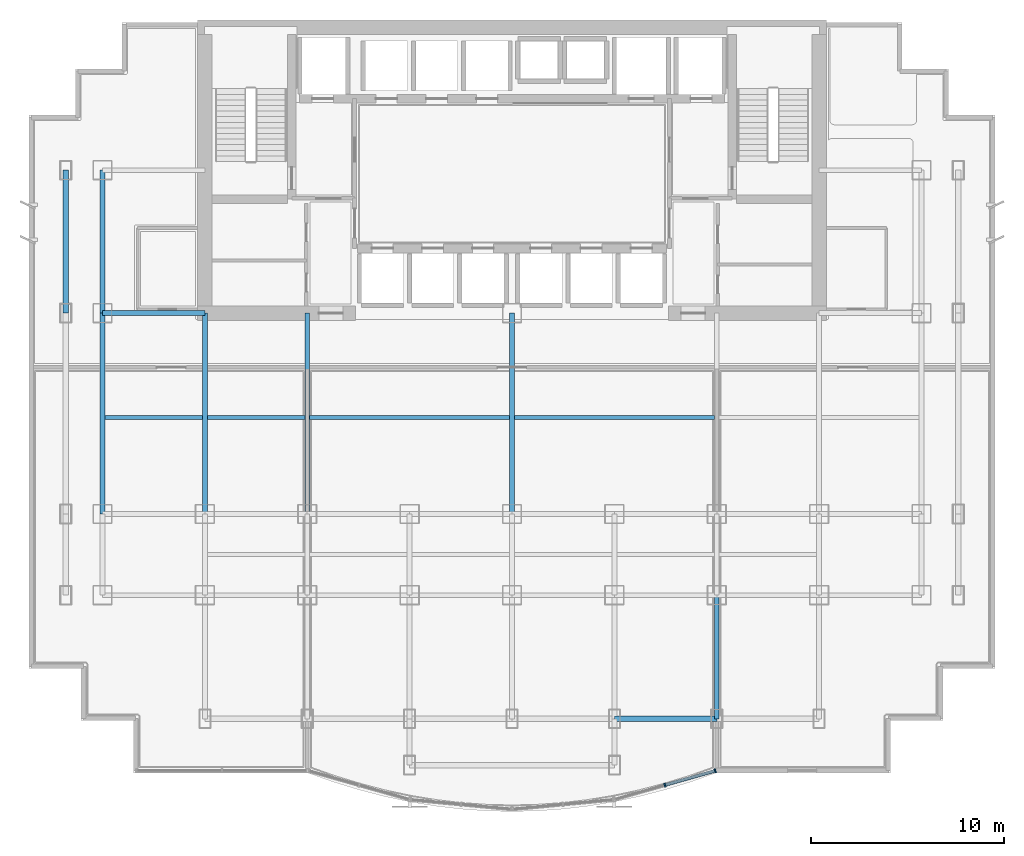
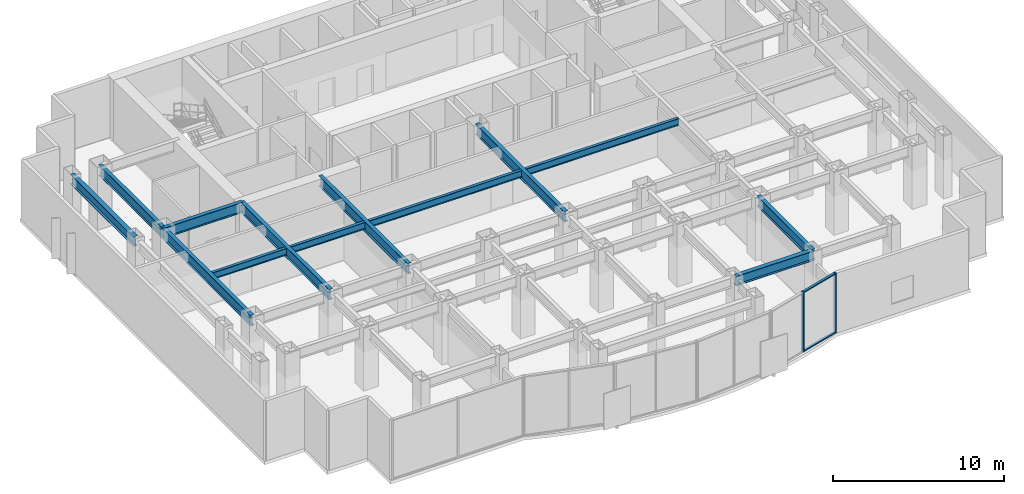
# One storey, part 3 of 9: 13 beams, 4 members, 1 element without a shape of its own.
"""IFC4 building model written with IfcOpenShell, lengths in metres."""

from ifc_helpers import new_model, si_unit, direction, frame, origin, origin_2d, place, context, subcontext, project, spatial, rectangle, i_section, extrude, source, transform, mapped, material, layer, layer_set, material_profile, profile_set, type_object, element, aggregate, save


model = new_model("IFC4")

# Units and contexts
model_context = context("Model", 3, precision=1e-05, world=origin(), true_north=direction((0.0, 1.0)))
body_context = subcontext(model_context, "Body", "Model", "MODEL_VIEW")
ifc_project = project(units=[si_unit("LENGTHUNIT", "METRE"), si_unit("AREAUNIT", "SQUARE_METRE"), si_unit("VOLUMEUNIT", "CUBIC_METRE"), si_unit("PLANEANGLEUNIT", "RADIAN"), si_unit("MASSUNIT", "GRAM", prefix="KILO")], contexts=[model_context])

# Site, building, storey
site_placement = place(None, origin())
site = spatial("IfcSite", under=ifc_project, at=site_placement, CompositionType="ELEMENT")
building_placement = place(site_placement, origin())
building = spatial("IfcBuilding", under=site, at=building_placement, Name="Qianlan Lanfeng Residences", CompositionType="ELEMENT")
storey_placement = place(building_placement, frame((0.0, 0.0, 77.199951171875)))
storey = spatial("IfcBuildingStorey", under=building, at=storey_placement, Name="L20", CompositionType="ELEMENT", Elevation=77.199951171875)

# Beams
ifc_material_1 = material(Name="Steel SN490B", Category="steel")
ifc_material_profile_1 = material_profile(ifc_material_1, i_section(OverallWidth=0.25, OverallDepth=0.75, WebThickness=0.013916015625, FlangeThickness=0.02490234375, at=origin_2d()), Name="H 750x250x14x25")
ifc_profile_set_1 = profile_set([ifc_material_profile_1], Name="Steel SN490B")
beam_type_1 = type_object("IfcBeamType", Name="G-850", PredefinedType="BEAM", material=ifc_profile_set_1)
beam_1_placement = place(storey_placement, frame((5.300048828125, 25.199951171875, 3.9150390625), z_axis=(1.0, 0.0, 0.0), x_axis=(0.0, 1.0, 0.0)))
element("IfcBeam", 1, at=beam_1_placement, inside=storey, type_object=beam_type_1, Name="Structural beam G-850", PredefinedType="BEAM", context=body_context, shape_type="SweptSolid", body=[
    extrude(i_section(OverallWidth=0.25, OverallDepth=0.75, WebThickness=0.013916015625, FlangeThickness=0.02490234375, at=origin_2d()), origin(), (0.0, 0.0, 1.0), 5.300048828125),
])
beam_2_placement = place(storey_placement, frame((5.300048828125, 14.800048828125, 3.9150390625), z_axis=(0.0, 1.0, 0.0), x_axis=(-1.0, 0.0, 0.0)))
element("IfcBeam", 2, at=beam_2_placement, inside=storey, type_object=beam_type_1, Name="Structural beam G-850", PredefinedType="BEAM", context=body_context, shape_type="SweptSolid", body=[
    extrude(i_section(OverallWidth=0.25, OverallDepth=0.75, WebThickness=0.013916015625, FlangeThickness=0.02490234375, at=origin_2d()), origin(), (0.0, 0.0, 1.0), 10.39990234375),
])
beam_3_placement = place(storey_placement, frame((5.300048828125, 25.199951171875, 3.9150390625), z_axis=(0.0, 1.0, 0.0), x_axis=(-1.0, 0.0, 0.0)))
element("IfcBeam", 3, at=beam_3_placement, inside=storey, type_object=beam_type_1, Name="Structural beam G-850", PredefinedType="BEAM", context=body_context, shape_type="SweptSolid", body=[
    extrude(i_section(OverallWidth=0.25, OverallDepth=0.75, WebThickness=0.013916015625, FlangeThickness=0.02490234375, at=origin_2d()), origin(), (0.0, 0.0, 1.0), 7.400146484375),
])
for number, where, z_axis, x_axis, name in (
    (4, (10.60009765625, 14.800048828125, 3.9150390625), (0.0, 1.0, 0.0), (-1.0, 0.0, 0.0), "Structural beam G-850"),
    (5, (15.89990234375, 14.800048828125, 3.9150390625), (0.0, 1.0, 0.0), (-1.0, 0.0, 0.0), "Structural beam G-850"),
    (6, (26.5, 14.800048828125, 3.9150390625), (0.0, 1.0, 0.0), (-1.0, 0.0, 0.0), "Structural beam G-850"),
):
    element("IfcBeam", number, at=place(storey_placement, frame(where, z_axis=z_axis, x_axis=x_axis)), inside=storey, type_object=beam_type_1, Name=name, PredefinedType="BEAM", context=body_context, shape_type="SweptSolid", body=[
        extrude(i_section(OverallWidth=0.25, OverallDepth=0.75, WebThickness=0.013916015625, FlangeThickness=0.02490234375, at=origin_2d()), origin(), (0.0, 0.0, 1.0), 10.39990234375),
    ])
beam_4_placement = place(storey_placement, frame((37.10009765625, 4.199951171875, 3.9150390625), z_axis=(0.0, 1.0, 0.0), x_axis=(-1.0, 0.0, 0.0)))
element("IfcBeam", 7, at=beam_4_placement, inside=storey, type_object=beam_type_1, Name="Structural beam G-850", PredefinedType="BEAM", context=body_context, shape_type="SweptSolid", body=[
    extrude(i_section(OverallWidth=0.25, OverallDepth=0.75, WebThickness=0.013916015625, FlangeThickness=0.02490234375, at=origin_2d()), origin(), (0.0, 0.0, 1.0), 6.400146484375),
])
ifc_material_profile_2 = material_profile(ifc_material_1, i_section(OverallWidth=0.199951171875, OverallDepth=0.5, WebThickness=0.010009765625, FlangeThickness=0.01611328125, at=origin_2d()), Name="H 500x200x10x16")
ifc_profile_set_2 = profile_set([ifc_material_profile_2], Name="Steel SN490B")
beam_type_2 = type_object("IfcBeamType", Name="J-500", PredefinedType="JOIST", material=ifc_profile_set_2)
beam_5_placement = place(storey_placement, frame((5.425048828125, 19.800048828125, 4.0400390625), z_axis=(1.0, 0.0, 0.0), x_axis=(0.0, 1.0, 0.0)))
element("IfcBeam", 8, at=beam_5_placement, inside=storey, type_object=beam_type_2, Name="Structural beam J-500", PredefinedType="JOIST", context=body_context, shape_type="SweptSolid", body=[
    extrude(i_section(OverallWidth=0.199951171875, OverallDepth=0.5, WebThickness=0.010009765625, FlangeThickness=0.01611328125, at=origin_2d()), origin(), (0.0, 0.0, 1.0), 5.050048828125),
])
beam_6_placement = place(storey_placement, frame((10.72509765625, 19.800048828125, 4.0400390625), z_axis=(1.0, 0.0, 0.0), x_axis=(0.0, 1.0, 0.0)))
element("IfcBeam", 9, at=beam_6_placement, inside=storey, type_object=beam_type_2, Name="Structural beam J-500", PredefinedType="JOIST", context=body_context, shape_type="SweptSolid", body=[
    extrude(i_section(OverallWidth=0.199951171875, OverallDepth=0.5, WebThickness=0.010009765625, FlangeThickness=0.01611328125, at=origin_2d()), origin(), (0.0, 0.0, 1.0), 5.0498046875),
])
for number, where, z_axis, x_axis, name in (
    (10, (16.02490234375, 19.800048828125, 4.0400390625), (1.0, 0.0, 0.0), (0.0, 1.0, 0.0), "Structural beam J-500"),
    (11, (26.625, 19.800048828125, 4.0400390625), (1.0, 0.0, 0.0), (0.0, 1.0, 0.0), "Structural beam J-500"),
):
    element("IfcBeam", number, at=place(storey_placement, frame(where, z_axis=z_axis, x_axis=x_axis)), inside=storey, type_object=beam_type_2, Name=name, PredefinedType="JOIST", context=body_context, shape_type="SweptSolid", body=[
        extrude(i_section(OverallWidth=0.199951171875, OverallDepth=0.5, WebThickness=0.010009765625, FlangeThickness=0.01611328125, at=origin_2d()), origin(), (0.0, 0.0, 1.0), 10.35009765625),
    ])
ifc_material_profile_3 = material_profile(ifc_material_1, i_section(OverallWidth=0.300048828125, OverallDepth=0.699951171875, WebThickness=0.012939453125, FlangeThickness=0.02392578125, at=origin_2d()), Name="H 700x300x13x24")
ifc_profile_set_3 = profile_set([ifc_material_profile_3], Name="Steel SN490B")
beam_type_3 = type_object("IfcBeamType", Name="SG-750", PredefinedType="SPANDREL", material=ifc_profile_set_3)
beam_7_placement = place(storey_placement, frame((31.800048828125, 4.199951171875, 3.93994140625), z_axis=(1.0, 0.0, 0.0), x_axis=(0.0, 1.0, 0.0)))
element("IfcBeam", 12, at=beam_7_placement, inside=storey, type_object=beam_type_3, Name="Structural beam SG-750", PredefinedType="SPANDREL", context=body_context, shape_type="SweptSolid", body=[
    extrude(i_section(OverallWidth=0.300048828125, OverallDepth=0.699951171875, WebThickness=0.012939453125, FlangeThickness=0.02392578125, at=origin_2d()), origin(), (0.0, 0.0, 1.0), 5.300048828125),
])
beam_8_placement = place(storey_placement, frame((3.39990234375, 25.199951171875, 3.93994140625), z_axis=(0.0, 1.0, 0.0), x_axis=(-1.0, 0.0, 0.0)))
element("IfcBeam", 13, at=beam_8_placement, inside=storey, type_object=beam_type_3, Name="Structural beam SG-750", PredefinedType="SPANDREL", context=body_context, shape_type="SweptSolid", body=[
    extrude(i_section(OverallWidth=0.300048828125, OverallDepth=0.699951171875, WebThickness=0.012939453125, FlangeThickness=0.02392578125, at=origin_2d()), origin(), (0.0, 0.0, 1.0), 7.400146484375),
])

# Curtain wall, members
ifc_material_2 = material(Name="Anodised Bronze Aluminium 6063-T6", Category="aluminium")
ifc_layer = layer(ifc_material_2, 0.219970703125)
ifc_layer_set = layer_set([ifc_layer], Name="Anodised Bronze Aluminium 6063-T6")
curtain_wall_type = type_object("IfcCurtainWallType", Name="CW-03", PredefinedType="NOTDEFINED", material=ifc_layer_set)
curtain_wall_placement = place(storey_placement, origin())
curtain_wall = element("IfcCurtainWall", 14, at=curtain_wall_placement, inside=storey, type_object=curtain_wall_type, Name="L20 Unitised Curtain Wall CWR-L20-05 (CW-03)", PredefinedType="NOTDEFINED")
ifc_material_profile_4 = material_profile(ifc_material_2, rectangle(XDim=0.080078125, YDim=0.2099609375, at=origin_2d()), Name="ALU MULLION 80x210")
ifc_profile_set_4 = profile_set([ifc_material_profile_4], Name="Anodised Bronze Aluminium 6063-T6")
member_type_1 = type_object("IfcMemberType", Name="CWM-220", PredefinedType="MULLION", material=ifc_profile_set_4)
shared_shape_1 = source(origin(), body_context, "Body", "SweptSolid", [
    extrude(rectangle(XDim=0.080078125, YDim=0.2099609375, at=origin_2d()), origin(), (0.0, 0.0, 1.0), 4.2900390625),
])
member_1_placement = place(storey_placement, frame((34.41357421875, 0.76904296875, 0.0), z_axis=(0.0, 0.0, 1.0), x_axis=(0.961989074302, 0.273087936247, 0.0)))
member_1 = element("IfcMember", 15, at=member_1_placement, type_object=member_type_1, Name="CWR-L20-05 Mullion 2", PredefinedType="MULLION", context=body_context, shape_type="MappedRepresentation", body=[
    mapped(shared_shape_1, transform((0.0, 0.0, 0.0), scale=1.0)),
])
member_2_placement = place(storey_placement, frame((37.0205078125, 1.509033203125, 0.0), z_axis=(0.0, 0.0, 1.0), x_axis=(0.961989074302, 0.273087936247, 0.0)))
member_2 = element("IfcMember", 16, at=member_2_placement, type_object=member_type_1, Name="CWR-L20-05 Mullion 3", PredefinedType="MULLION", context=body_context, shape_type="MappedRepresentation", body=[
    mapped(shared_shape_1, transform((0.0, 0.0, 0.0), scale=1.0)),
])
ifc_material_profile_5 = material_profile(ifc_material_2, rectangle(XDim=0.080078125, YDim=0.159912109375, at=origin_2d()), Name="ALU TRANSOM 80x160")
ifc_profile_set_5 = profile_set([ifc_material_profile_5], Name="Anodised Bronze Aluminium 6063-T6")
member_type_2 = type_object("IfcMemberType", Name="CWT-180", PredefinedType="USERDEFINED", material=ifc_profile_set_5)
shared_shape_2 = source(origin(), body_context, "Body", "SweptSolid", [
    extrude(rectangle(XDim=0.080078125, YDim=0.159912109375, at=origin_2d()), origin(), (0.0, 0.0, 1.0), 2.63037109375),
])
member_3_placement = place(storey_placement, frame((34.451904296875, 0.77978515625, 0.0400390625), z_axis=(0.961967513886, 0.273163874312, 0.0), x_axis=(0.0, 0.0, 1.0)))
member_3 = element("IfcMember", 17, at=member_3_placement, type_object=member_type_2, Name="CWR-L20-05 Transom 2-BOT", ObjectType="TRANSOM", PredefinedType="USERDEFINED", context=body_context, shape_type="MappedRepresentation", body=[
    mapped(shared_shape_2, transform((0.0, 0.0, 0.0), scale=1.0)),
])
member_4_placement = place(storey_placement, frame((34.451904296875, 0.77978515625, 4.25), z_axis=(0.961967513886, 0.273163874312, 0.0), x_axis=(0.0, 0.0, 1.0)))
member_4 = element("IfcMember", 18, at=member_4_placement, type_object=member_type_2, Name="CWR-L20-05 Transom 2-TOP", ObjectType="TRANSOM", PredefinedType="USERDEFINED", context=body_context, shape_type="MappedRepresentation", body=[
    mapped(shared_shape_2, transform((0.0, 0.0, 0.0), scale=1.0)),
])
aggregate(curtain_wall, [member_1, member_2, member_3, member_4])

save(model, "model.ifc")
